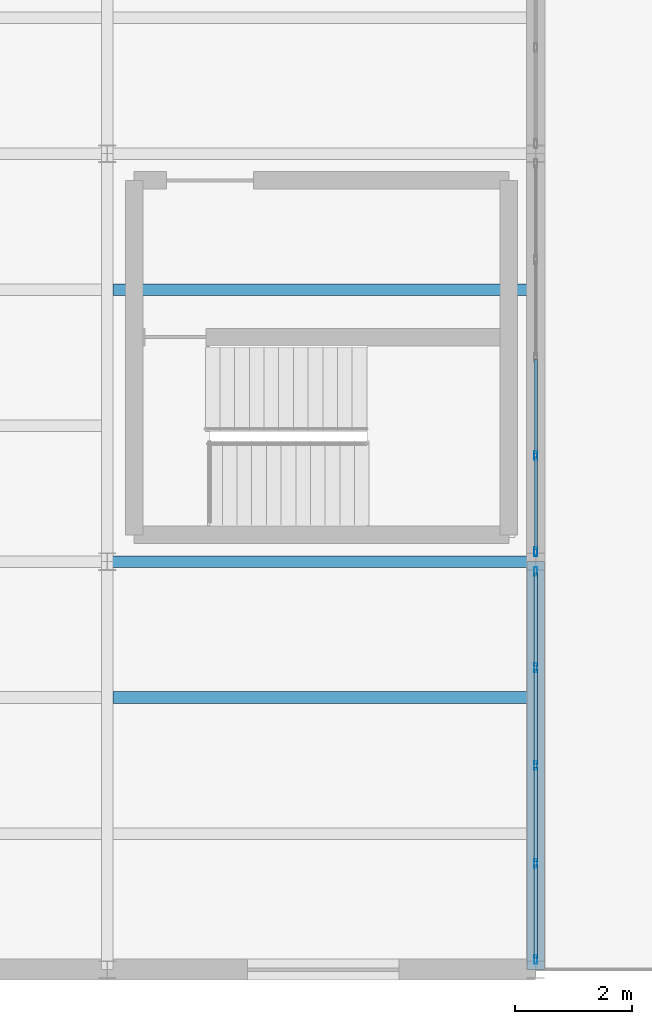
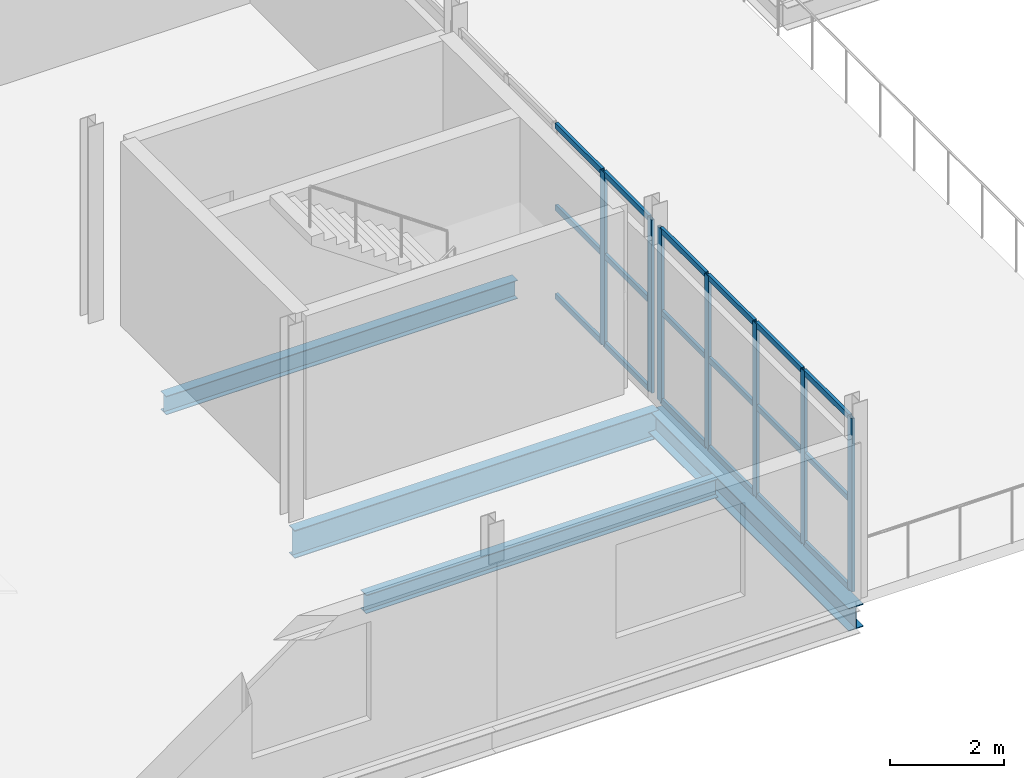
# One storey, part 16 of 39: 25 members, 4 beams, 2 elements without a shape of their own.
"""IFC4 building model written with IfcOpenShell, lengths in metres."""

from ifc_helpers import new_model, si_unit, direction, frame, origin, origin_2d, place, context, subcontext, project, spatial, hollow_rectangle, i_section, extrude, material, material_profile, profile_set, type_object, element, aggregate, save


model = new_model("IFC4")

# Units and contexts
model_context = context("Model", 3, precision=1e-05, world=origin(), true_north=direction((0.0, 1.0)))
body_context = subcontext(model_context, "Body", "Model", "MODEL_VIEW")
ifc_project = project(units=[si_unit("LENGTHUNIT", "METRE"), si_unit("AREAUNIT", "SQUARE_METRE"), si_unit("VOLUMEUNIT", "CUBIC_METRE"), si_unit("PLANEANGLEUNIT", "RADIAN"), si_unit("MASSUNIT", "GRAM", prefix="KILO")], contexts=[model_context])

# Site, building, storey
site_placement = place(None, origin())
site = spatial("IfcSite", under=ifc_project, at=site_placement, CompositionType="ELEMENT")
building_placement = place(site_placement, origin())
building = spatial("IfcBuilding", under=site, at=building_placement, Name="Kazenagashi Tramway Depot", CompositionType="ELEMENT")
storey_placement = place(building_placement, frame((0.0, 0.0, 11.1)))
storey = spatial("IfcBuildingStorey", under=building, at=storey_placement, Name="L03", CompositionType="ELEMENT", Elevation=11.1)

# Beams
ifc_material_1 = material(Name="Steel SN490B", Category="steel")
ifc_material_profile_1 = material_profile(ifc_material_1, i_section(OverallWidth=0.199, OverallDepth=0.596, WebThickness=0.01, FlangeThickness=0.015, at=origin_2d()), Name="H-596x199x10x15")
ifc_profile_set_1 = profile_set([ifc_material_profile_1], Name="Steel SN490B")
beam_type_1 = type_object("IfcBeamType", Name="G-09", PredefinedType="BEAM", material=ifc_profile_set_1)
beam_1_placement = place(storey_placement, frame((29.4, 7.0, -0.548), z_axis=(1.0, 0.0, 0.0), x_axis=(0.0, 1.0, 0.0)))
element("IfcBeam", 1, at=beam_1_placement, inside=storey, type_object=beam_type_1, Name="Beam G-09 BM-0227", PredefinedType="BEAM", context=body_context, shape_type="SweptSolid", body=[
    extrude(i_section(OverallWidth=0.199, OverallDepth=0.596, WebThickness=0.01, FlangeThickness=0.015, at=origin_2d()), origin(), (0.0, 0.0, 1.0), 7.35),
])
ifc_material_profile_2 = material_profile(ifc_material_1, i_section(OverallWidth=0.199, OverallDepth=0.396, WebThickness=0.007, FlangeThickness=0.011, at=origin_2d()), Name="H-396x199x7x11")
ifc_profile_set_2 = profile_set([ifc_material_profile_2], Name="Steel SN490B")
beam_type_2 = type_object("IfcBeamType", Name="J-05", PredefinedType="JOIST", material=ifc_profile_set_2)
for number, where, z_axis, x_axis, name in (
    (2, (29.499, 4.667, -0.448), (1.0, 0.0, 0.0), (0.0, 1.0, 0.0), "Beam J-05 BM-0375"),
    (3, (29.499, 11.667, -0.448), (1.0, 0.0, 0.0), (0.0, 1.0, 0.0), "Beam J-05 BM-0377"),
):
    element("IfcBeam", number, at=place(storey_placement, frame(where, z_axis=z_axis, x_axis=x_axis)), inside=storey, type_object=beam_type_2, Name=name, PredefinedType="JOIST", context=body_context, shape_type="SweptSolid", body=[
        extrude(i_section(OverallWidth=0.199, OverallDepth=0.396, WebThickness=0.007, FlangeThickness=0.011, at=origin_2d()), origin(), (0.0, 0.0, 1.0), 7.101),
    ])

# Curtain wall, members
ifc_material_2 = material(Name="Anodised Aluminium and Low-E Glazing", Category="aluminium")
curtain_wall_type = type_object("IfcCurtainWallType", Name="CW-26", PredefinedType="USERDEFINED", material=ifc_material_2)
curtain_wall_1_placement = place(storey_placement, origin())
curtain_wall_1 = element("IfcCurtainWall", 4, at=curtain_wall_1_placement, inside=storey, type_object=curtain_wall_type, Name="Industrial Glazed Screen CW-26 CW-0144", ObjectType="GLAZED SCREEN", PredefinedType="USERDEFINED")
ifc_material_3 = material(Name="Anodised Aluminium", Category="aluminium")
ifc_material_profile_3 = material_profile(ifc_material_3, hollow_rectangle(XDim=0.06, YDim=0.15, WallThickness=0.004, at=origin_2d()), Name="RHS-150x60x4")
ifc_profile_set_3 = profile_set([ifc_material_profile_3], Name="Anodised Aluminium")
member_type_1 = type_object("IfcMemberType", Name="ML-01", PredefinedType="MULLION", material=ifc_profile_set_3)
member_1_placement = place(storey_placement, frame((36.75, 0.17, 0.0), z_axis=(0.0, 0.0, 1.0), x_axis=(-1.0, 0.0, 0.0)))
member_1 = element("IfcMember", 5, at=member_1_placement, type_object=member_type_1, Name="CW-26 mullion 1", PredefinedType="MULLION", context=body_context, shape_type="SweptSolid", body=[
    extrude(hollow_rectangle(XDim=0.06, YDim=0.15, WallThickness=0.004, at=origin_2d()), origin(), (0.0, 0.0, 1.0), 3.7),
])
member_2_placement = place(storey_placement, frame((36.75, 1.82, 0.0), z_axis=(0.0, 0.0, 1.0), x_axis=(-1.0, 0.0, 0.0)))
member_2 = element("IfcMember", 6, at=member_2_placement, type_object=member_type_1, Name="CW-26 mullion 2", PredefinedType="MULLION", context=body_context, shape_type="SweptSolid", body=[
    extrude(hollow_rectangle(XDim=0.06, YDim=0.15, WallThickness=0.004, at=origin_2d()), origin(), (0.0, 0.0, 1.0), 3.7),
])
member_3_placement = place(storey_placement, frame((36.75, 3.5, 0.0), z_axis=(0.0, 0.0, 1.0), x_axis=(-1.0, 0.0, 0.0)))
member_3 = element("IfcMember", 7, at=member_3_placement, type_object=member_type_1, Name="CW-26 mullion 3", PredefinedType="MULLION", context=body_context, shape_type="SweptSolid", body=[
    extrude(hollow_rectangle(XDim=0.06, YDim=0.15, WallThickness=0.004, at=origin_2d()), origin(), (0.0, 0.0, 1.0), 3.7),
])
member_4_placement = place(storey_placement, frame((36.75, 5.18, 0.0), z_axis=(0.0, 0.0, 1.0), x_axis=(-1.0, 0.0, 0.0)))
member_4 = element("IfcMember", 8, at=member_4_placement, type_object=member_type_1, Name="CW-26 mullion 4", PredefinedType="MULLION", context=body_context, shape_type="SweptSolid", body=[
    extrude(hollow_rectangle(XDim=0.06, YDim=0.15, WallThickness=0.004, at=origin_2d()), origin(), (0.0, 0.0, 1.0), 3.7),
])
member_5_placement = place(storey_placement, frame((36.75, 6.83, 0.0), z_axis=(0.0, 0.0, 1.0), x_axis=(-1.0, 0.0, 0.0)))
member_5 = element("IfcMember", 9, at=member_5_placement, type_object=member_type_1, Name="CW-26 mullion 5", PredefinedType="MULLION", context=body_context, shape_type="SweptSolid", body=[
    extrude(hollow_rectangle(XDim=0.06, YDim=0.15, WallThickness=0.004, at=origin_2d()), origin(), (0.0, 0.0, 1.0), 3.7),
])

curtain_wall_2_placement = place(storey_placement, origin())
curtain_wall_2 = element("IfcCurtainWall", 10, at=curtain_wall_2_placement, inside=storey, type_object=curtain_wall_type, Name="Industrial Glazed Screen CW-26 CW-0145", ObjectType="GLAZED SCREEN", PredefinedType="USERDEFINED")
member_6_placement = place(storey_placement, frame((36.75, 7.17, 0.0), z_axis=(0.0, 0.0, 1.0), x_axis=(-1.0, 0.0, 0.0)))
member_6 = element("IfcMember", 11, at=member_6_placement, type_object=member_type_1, Name="CW-26 mullion 1", PredefinedType="MULLION", context=body_context, shape_type="SweptSolid", body=[
    extrude(hollow_rectangle(XDim=0.06, YDim=0.15, WallThickness=0.004, at=origin_2d()), origin(), (0.0, 0.0, 1.0), 3.7),
])
member_7_placement = place(storey_placement, frame((36.75, 8.82, 0.0), z_axis=(0.0, 0.0, 1.0), x_axis=(-1.0, 0.0, 0.0)))
member_7 = element("IfcMember", 12, at=member_7_placement, type_object=member_type_1, Name="CW-26 mullion 2", PredefinedType="MULLION", context=body_context, shape_type="SweptSolid", body=[
    extrude(hollow_rectangle(XDim=0.06, YDim=0.15, WallThickness=0.004, at=origin_2d()), origin(), (0.0, 0.0, 1.0), 3.7),
])

# Beam
ifc_material_profile_4 = material_profile(ifc_material_1, i_section(OverallWidth=0.3, OverallDepth=0.488, WebThickness=0.011, FlangeThickness=0.018, at=origin_2d()), Name="H-488x300x11x18")
ifc_profile_set_4 = profile_set([ifc_material_profile_4], Name="Steel SN490B")
beam_type_3 = type_object("IfcBeamType", Name="SP-02", PredefinedType="SPANDREL", material=ifc_profile_set_4)
beam_2_placement = place(storey_placement, frame((36.75, 0.0, -0.494), z_axis=(0.0, 1.0, 0.0), x_axis=(-1.0, 0.0, 0.0)))
element("IfcBeam", 13, at=beam_2_placement, inside=storey, type_object=beam_type_3, Name="Beam SP-02 BM-0399", PredefinedType="SPANDREL", context=body_context, shape_type="SweptSolid", body=[
    extrude(i_section(OverallWidth=0.3, OverallDepth=0.488, WebThickness=0.011, FlangeThickness=0.018, at=origin_2d()), origin(), (0.0, 0.0, 1.0), 7.0),
])

# Member
ifc_material_profile_5 = material_profile(ifc_material_3, hollow_rectangle(XDim=0.06, YDim=0.12, WallThickness=0.004, at=origin_2d()), Name="RHS-120x60x4")
ifc_profile_set_5 = profile_set([ifc_material_profile_5], Name="Anodised Aluminium")
member_type_2 = type_object("IfcMemberType", Name="TR-01", PredefinedType="USERDEFINED", material=ifc_profile_set_5)
member_8_placement = place(storey_placement, frame((36.75, 0.2, 0.03), z_axis=(0.0, 1.0, 0.0), x_axis=(-1.0, 0.0, 0.0)))
member_8 = element("IfcMember", 14, at=member_8_placement, type_object=member_type_2, Name="CW-26 transom 1.1", ObjectType="TRANSOM", PredefinedType="USERDEFINED", context=body_context, shape_type="SweptSolid", body=[
    extrude(hollow_rectangle(XDim=0.06, YDim=0.12, WallThickness=0.004, at=origin_2d()), origin(), (0.0, 0.0, 1.0), 1.59),
])

member_9_placement = place(storey_placement, frame((36.75, 0.2, 1.924), z_axis=(0.0, 1.0, 0.0), x_axis=(-1.0, 0.0, 0.0)))
member_9 = element("IfcMember", 15, at=member_9_placement, type_object=member_type_2, Name="CW-26 transom 1.2", ObjectType="TRANSOM", PredefinedType="USERDEFINED", context=body_context, shape_type="SweptSolid", body=[
    extrude(hollow_rectangle(XDim=0.06, YDim=0.12, WallThickness=0.004, at=origin_2d()), origin(), (0.0, 0.0, 1.0), 1.59),
])

member_10_placement = place(storey_placement, frame((36.75, 0.2, 3.67), z_axis=(0.0, 1.0, 0.0), x_axis=(-1.0, 0.0, 0.0)))
member_10 = element("IfcMember", 16, at=member_10_placement, type_object=member_type_2, Name="CW-26 transom 1.3", ObjectType="TRANSOM", PredefinedType="USERDEFINED", context=body_context, shape_type="SweptSolid", body=[
    extrude(hollow_rectangle(XDim=0.06, YDim=0.12, WallThickness=0.004, at=origin_2d()), origin(), (0.0, 0.0, 1.0), 1.59),
])

member_11_placement = place(storey_placement, frame((36.75, 1.85, 0.03), z_axis=(0.0, 1.0, 0.0), x_axis=(-1.0, 0.0, 0.0)))
member_11 = element("IfcMember", 17, at=member_11_placement, type_object=member_type_2, Name="CW-26 transom 2.1", ObjectType="TRANSOM", PredefinedType="USERDEFINED", context=body_context, shape_type="SweptSolid", body=[
    extrude(hollow_rectangle(XDim=0.06, YDim=0.12, WallThickness=0.004, at=origin_2d()), origin(), (0.0, 0.0, 1.0), 1.62),
])

member_12_placement = place(storey_placement, frame((36.75, 1.85, 1.924), z_axis=(0.0, 1.0, 0.0), x_axis=(-1.0, 0.0, 0.0)))
member_12 = element("IfcMember", 18, at=member_12_placement, type_object=member_type_2, Name="CW-26 transom 2.2", ObjectType="TRANSOM", PredefinedType="USERDEFINED", context=body_context, shape_type="SweptSolid", body=[
    extrude(hollow_rectangle(XDim=0.06, YDim=0.12, WallThickness=0.004, at=origin_2d()), origin(), (0.0, 0.0, 1.0), 1.62),
])

member_13_placement = place(storey_placement, frame((36.75, 1.85, 3.67), z_axis=(0.0, 1.0, 0.0), x_axis=(-1.0, 0.0, 0.0)))
member_13 = element("IfcMember", 19, at=member_13_placement, type_object=member_type_2, Name="CW-26 transom 2.3", ObjectType="TRANSOM", PredefinedType="USERDEFINED", context=body_context, shape_type="SweptSolid", body=[
    extrude(hollow_rectangle(XDim=0.06, YDim=0.12, WallThickness=0.004, at=origin_2d()), origin(), (0.0, 0.0, 1.0), 1.62),
])

member_14_placement = place(storey_placement, frame((36.75, 3.53, 0.03), z_axis=(0.0, 1.0, 0.0), x_axis=(-1.0, 0.0, 0.0)))
member_14 = element("IfcMember", 20, at=member_14_placement, type_object=member_type_2, Name="CW-26 transom 3.1", ObjectType="TRANSOM", PredefinedType="USERDEFINED", context=body_context, shape_type="SweptSolid", body=[
    extrude(hollow_rectangle(XDim=0.06, YDim=0.12, WallThickness=0.004, at=origin_2d()), origin(), (0.0, 0.0, 1.0), 1.62),
])

member_15_placement = place(storey_placement, frame((36.75, 3.53, 1.924), z_axis=(0.0, 1.0, 0.0), x_axis=(-1.0, 0.0, 0.0)))
member_15 = element("IfcMember", 21, at=member_15_placement, type_object=member_type_2, Name="CW-26 transom 3.2", ObjectType="TRANSOM", PredefinedType="USERDEFINED", context=body_context, shape_type="SweptSolid", body=[
    extrude(hollow_rectangle(XDim=0.06, YDim=0.12, WallThickness=0.004, at=origin_2d()), origin(), (0.0, 0.0, 1.0), 1.62),
])

member_16_placement = place(storey_placement, frame((36.75, 3.53, 3.67), z_axis=(0.0, 1.0, 0.0), x_axis=(-1.0, 0.0, 0.0)))
member_16 = element("IfcMember", 22, at=member_16_placement, type_object=member_type_2, Name="CW-26 transom 3.3", ObjectType="TRANSOM", PredefinedType="USERDEFINED", context=body_context, shape_type="SweptSolid", body=[
    extrude(hollow_rectangle(XDim=0.06, YDim=0.12, WallThickness=0.004, at=origin_2d()), origin(), (0.0, 0.0, 1.0), 1.62),
])

member_17_placement = place(storey_placement, frame((36.75, 5.21, 0.03), z_axis=(0.0, 1.0, 0.0), x_axis=(-1.0, 0.0, 0.0)))
member_17 = element("IfcMember", 23, at=member_17_placement, type_object=member_type_2, Name="CW-26 transom 4.1", ObjectType="TRANSOM", PredefinedType="USERDEFINED", context=body_context, shape_type="SweptSolid", body=[
    extrude(hollow_rectangle(XDim=0.06, YDim=0.12, WallThickness=0.004, at=origin_2d()), origin(), (0.0, 0.0, 1.0), 1.59),
])

member_18_placement = place(storey_placement, frame((36.75, 5.21, 1.924), z_axis=(0.0, 1.0, 0.0), x_axis=(-1.0, 0.0, 0.0)))
member_18 = element("IfcMember", 24, at=member_18_placement, type_object=member_type_2, Name="CW-26 transom 4.2", ObjectType="TRANSOM", PredefinedType="USERDEFINED", context=body_context, shape_type="SweptSolid", body=[
    extrude(hollow_rectangle(XDim=0.06, YDim=0.12, WallThickness=0.004, at=origin_2d()), origin(), (0.0, 0.0, 1.0), 1.59),
])

member_19_placement = place(storey_placement, frame((36.75, 5.21, 3.67), z_axis=(0.0, 1.0, 0.0), x_axis=(-1.0, 0.0, 0.0)))
member_19 = element("IfcMember", 25, at=member_19_placement, type_object=member_type_2, Name="CW-26 transom 4.3", ObjectType="TRANSOM", PredefinedType="USERDEFINED", context=body_context, shape_type="SweptSolid", body=[
    extrude(hollow_rectangle(XDim=0.06, YDim=0.12, WallThickness=0.004, at=origin_2d()), origin(), (0.0, 0.0, 1.0), 1.59),
])

aggregate(curtain_wall_1, [member_1, member_2, member_3, member_4, member_5, member_8, member_9, member_10, member_11, member_12, member_13, member_14, member_15, member_16, member_17, member_18, member_19])

member_20_placement = place(storey_placement, frame((36.75, 7.2, 0.03), z_axis=(0.0, 1.0, 0.0), x_axis=(-1.0, 0.0, 0.0)))
member_20 = element("IfcMember", 26, at=member_20_placement, type_object=member_type_2, Name="CW-26 transom 1.1", ObjectType="TRANSOM", PredefinedType="USERDEFINED", context=body_context, shape_type="SweptSolid", body=[
    extrude(hollow_rectangle(XDim=0.06, YDim=0.12, WallThickness=0.004, at=origin_2d()), origin(), (0.0, 0.0, 1.0), 1.59),
])

member_21_placement = place(storey_placement, frame((36.75, 7.2, 1.924), z_axis=(0.0, 1.0, 0.0), x_axis=(-1.0, 0.0, 0.0)))
member_21 = element("IfcMember", 27, at=member_21_placement, type_object=member_type_2, Name="CW-26 transom 1.2", ObjectType="TRANSOM", PredefinedType="USERDEFINED", context=body_context, shape_type="SweptSolid", body=[
    extrude(hollow_rectangle(XDim=0.06, YDim=0.12, WallThickness=0.004, at=origin_2d()), origin(), (0.0, 0.0, 1.0), 1.59),
])

member_22_placement = place(storey_placement, frame((36.75, 7.2, 3.67), z_axis=(0.0, 1.0, 0.0), x_axis=(-1.0, 0.0, 0.0)))
member_22 = element("IfcMember", 28, at=member_22_placement, type_object=member_type_2, Name="CW-26 transom 1.3", ObjectType="TRANSOM", PredefinedType="USERDEFINED", context=body_context, shape_type="SweptSolid", body=[
    extrude(hollow_rectangle(XDim=0.06, YDim=0.12, WallThickness=0.004, at=origin_2d()), origin(), (0.0, 0.0, 1.0), 1.59),
])

member_23_placement = place(storey_placement, frame((36.75, 8.85, 0.03), z_axis=(0.0, 1.0, 0.0), x_axis=(-1.0, 0.0, 0.0)))
member_23 = element("IfcMember", 29, at=member_23_placement, type_object=member_type_2, Name="CW-26 transom 2.1", ObjectType="TRANSOM", PredefinedType="USERDEFINED", context=body_context, shape_type="SweptSolid", body=[
    extrude(hollow_rectangle(XDim=0.06, YDim=0.12, WallThickness=0.004, at=origin_2d()), origin(), (0.0, 0.0, 1.0), 1.62),
])

member_24_placement = place(storey_placement, frame((36.75, 8.85, 1.924), z_axis=(0.0, 1.0, 0.0), x_axis=(-1.0, 0.0, 0.0)))
member_24 = element("IfcMember", 30, at=member_24_placement, type_object=member_type_2, Name="CW-26 transom 2.2", ObjectType="TRANSOM", PredefinedType="USERDEFINED", context=body_context, shape_type="SweptSolid", body=[
    extrude(hollow_rectangle(XDim=0.06, YDim=0.12, WallThickness=0.004, at=origin_2d()), origin(), (0.0, 0.0, 1.0), 1.62),
])

member_25_placement = place(storey_placement, frame((36.75, 8.85, 3.67), z_axis=(0.0, 1.0, 0.0), x_axis=(-1.0, 0.0, 0.0)))
member_25 = element("IfcMember", 31, at=member_25_placement, type_object=member_type_2, Name="CW-26 transom 2.3", ObjectType="TRANSOM", PredefinedType="USERDEFINED", context=body_context, shape_type="SweptSolid", body=[
    extrude(hollow_rectangle(XDim=0.06, YDim=0.12, WallThickness=0.004, at=origin_2d()), origin(), (0.0, 0.0, 1.0), 1.62),
])

aggregate(curtain_wall_2, [member_6, member_7, member_20, member_21, member_22, member_23, member_24, member_25])

save(model, "model.ifc")
